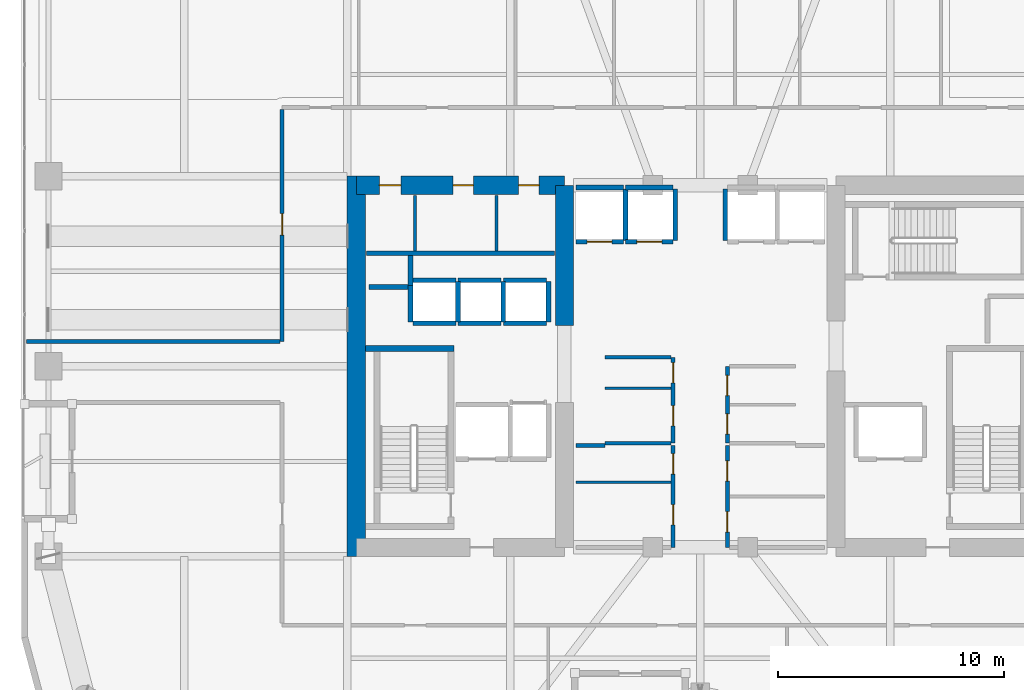
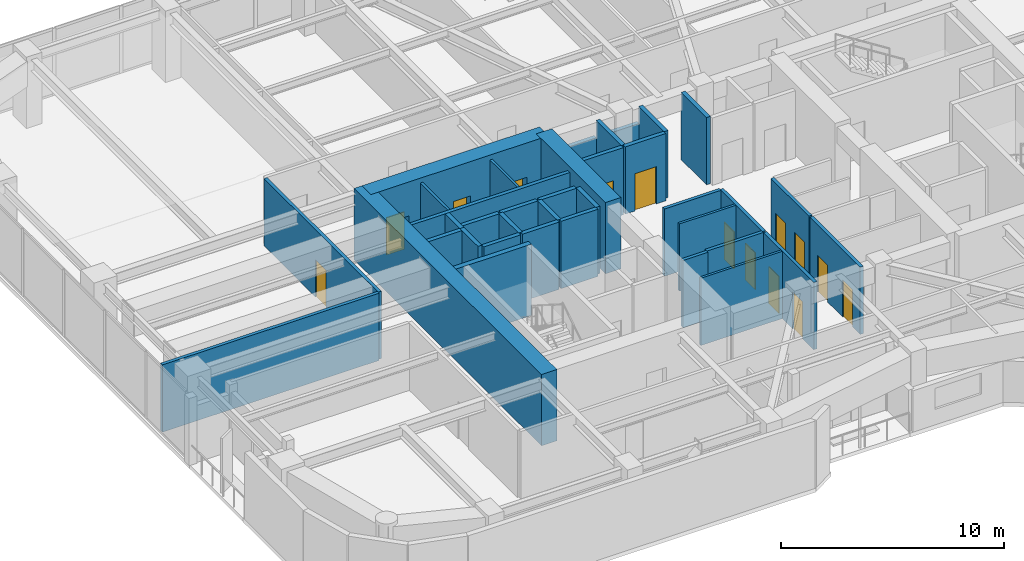
# One storey, part 25 of 30: 37 walls, 14 doors, 14 openings.
"""IFC4 building model written with IfcOpenShell, lengths in metres."""

from ifc_helpers import new_model, si_unit, direction, frame, frame_2d, origin, place, context, subcontext, project, spatial, rectangle, extrude, material, layer, layer_set, type_object, element, fill, save


model = new_model("IFC4")

# Units and contexts
model_context = context("Model", 3, precision=1e-05, world=origin(), true_north=direction((0.0, 1.0)))
body_context = subcontext(model_context, "Body", "Model", "MODEL_VIEW")
ifc_project = project(units=[si_unit("LENGTHUNIT", "METRE"), si_unit("AREAUNIT", "SQUARE_METRE"), si_unit("VOLUMEUNIT", "CUBIC_METRE"), si_unit("PLANEANGLEUNIT", "RADIAN"), si_unit("MASSUNIT", "GRAM", prefix="KILO")], contexts=[model_context])

# Site, building, storey
site_placement = place(None, origin())
site = spatial("IfcSite", under=ifc_project, at=site_placement, CompositionType="ELEMENT")
building_placement = place(site_placement, origin())
building = spatial("IfcBuilding", under=site, at=building_placement, Name="Kiyonajd Concourse Tower", CompositionType="ELEMENT")
storey_placement = place(building_placement, frame((0.0, 0.0, 177.89990234375)))
storey = spatial("IfcBuildingStorey", under=building, at=storey_placement, Name="L45", CompositionType="ELEMENT", Elevation=177.89990234375)

# Walls
ifc_material_1 = material(Name="Concrete C70/85", Category="concrete")
ifc_layer_1 = layer(ifc_material_1, 0.800048828125)
ifc_layer_set_1 = layer_set([ifc_layer_1], Name="Concrete C70/85")
wall_type_1 = type_object("IfcWallType", Name="WL-CORE-800", PredefinedType="SHEAR", material=ifc_layer_set_1)
wall_1_placement = place(storey_placement, frame((32.800048828125, 27.60009765625, 0.0), z_axis=(0.0, 0.0, 1.0), x_axis=(0.0, 1.0, 0.0)))
element("IfcWall", 1, at=wall_1_placement, inside=storey, type_object=wall_type_1, Name="L45 West Core Outer Shear Wall", PredefinedType="SHEAR", context=body_context, shape_type="SweptSolid", body=[
    extrude(rectangle(XDim=16.7998046875, YDim=0.800048828125, at=frame_2d((8.39990234375, 0.0))), origin(), (0.0, 0.0, 1.0), 3.900146484375),
])
wall_2_placement = place(storey_placement, frame((42.0, 37.800048828125, 0.0), z_axis=(0.0, 0.0, 1.0), x_axis=(0.0, 1.0, 0.0)))
element("IfcWall", 2, at=wall_2_placement, inside=storey, type_object=wall_type_1, Name="L45 West Core Inner North Shear Wall", PredefinedType="SHEAR", context=body_context, shape_type="SweptSolid", body=[
    extrude(rectangle(XDim=6.199951171875, YDim=0.800048828125, at=frame_2d((3.10009765625, 0.0))), origin(), (0.0, 0.0, 1.0), 3.900146484375),
])

# Wall, openings, doors
wall_3_placement = place(storey_placement, frame((32.800048828125, 44.0, 0.0), z_axis=(0.0, 0.0, 1.0), x_axis=(1.0, 0.0, 0.0)))
wall_3 = element("IfcWall", 3, at=wall_3_placement, inside=storey, type_object=wall_type_1, Name="L45 West Core North Shear Wall", PredefinedType="SHEAR", context=body_context, shape_type="SweptSolid", body=[
    extrude(rectangle(XDim=9.199951171875, YDim=0.800048828125, at=frame_2d((4.60009765625, 0.0))), origin(), (0.0, 0.0, 1.0), 3.900146484375),
])
opening_1_placement = place(wall_3_placement, frame((1.02490234375, 0.0, 0.0)))
opening_1 = element("IfcOpeningElement", 4, at=opening_1_placement, cuts=wall_3, Name="Opening DI1", PredefinedType="OPENING", context=body_context, shape_type="SweptSolid", body=[
    extrude(rectangle(XDim=0.949951171875, YDim=2.0400390625, at=frame_2d((0.47509765625, 1.02001953125))), frame((0.0, 0.409912109375, 0.0), z_axis=(0.0, -1.0, 0.0), x_axis=(1.0, 0.0, 0.0)), (0.0, 0.0, 1.0), 0.820068359375),
])
opening_2_placement = place(wall_3_placement, frame((4.27490234375, 0.0, 0.0)))
opening_2 = element("IfcOpeningElement", 5, at=opening_2_placement, cuts=wall_3, Name="Opening DI2", PredefinedType="OPENING", context=body_context, shape_type="SweptSolid", body=[
    extrude(rectangle(XDim=0.89990234375, YDim=2.02001953125, at=frame_2d((0.449951171875, 1.010009765625))), frame((0.0, 0.409912109375, 0.0), z_axis=(0.0, -1.0, 0.0), x_axis=(1.0, 0.0, 0.0)), (0.0, 0.0, 1.0), 0.820068359375),
])
opening_3_placement = place(wall_3_placement, frame((7.175048828125, 0.0, 0.0)))
opening_3 = element("IfcOpeningElement", 6, at=opening_3_placement, cuts=wall_3, Name="Opening DI2", PredefinedType="OPENING", context=body_context, shape_type="SweptSolid", body=[
    extrude(rectangle(XDim=0.89990234375, YDim=2.02001953125, at=frame_2d((0.449951171875, 1.010009765625))), frame((0.0, 0.409912109375, 0.0), z_axis=(0.0, -1.0, 0.0), x_axis=(1.0, 0.0, 0.0)), (0.0, 0.0, 1.0), 0.820068359375),
])
ifc_material_2 = material(Name="Natural Oak Acoustic Timber Veneer", Category="wood")
door_type_1 = type_object("IfcDoorType", Name="DR-INT-900", OperationType="NOTDEFINED", PredefinedType="DOOR", material=ifc_material_2)
door_1_placement = place(opening_2_placement, origin())
door_1 = element("IfcDoor", 7, at=door_1_placement, inside=storey, type_object=door_type_1, Name="L45 Male Restroom Door", OperationType="SINGLE_SWING_RIGHT", OverallHeight=2.02001953125, OverallWidth=0.89990234375, PredefinedType="DOOR", context=body_context, shape_type="SweptSolid", body=[
    extrude(rectangle(XDim=0.89990234375, YDim=2.02001953125, at=frame_2d((0.449951171875, 1.010009765625))), frame((0.0, 0.02490234375, 0.0), z_axis=(0.0, -1.0, 0.0), x_axis=(1.0, 0.0, 0.0)), (0.0, 0.0, 1.0), 0.050048828125),
])
fill(opening_2, door_1)
door_2_placement = place(opening_3_placement, origin())
door_2 = element("IfcDoor", 8, at=door_2_placement, inside=storey, type_object=door_type_1, Name="L45 Female Restroom Door", OperationType="SINGLE_SWING_LEFT", OverallHeight=2.02001953125, OverallWidth=0.89990234375, PredefinedType="DOOR", context=body_context, shape_type="SweptSolid", body=[
    extrude(rectangle(XDim=0.89990234375, YDim=2.02001953125, at=frame_2d((0.449951171875, 1.010009765625))), frame((0.0, 0.02490234375, 0.0), z_axis=(0.0, -1.0, 0.0), x_axis=(1.0, 0.0, 0.0)), (0.0, 0.0, 1.0), 0.050048828125),
])
fill(opening_3, door_2)
door_type_2 = type_object("IfcDoorType", Name="DR-INT-950", OperationType="NOTDEFINED", PredefinedType="DOOR", material=ifc_material_2)
door_3_placement = place(opening_1_placement, origin())
door_3 = element("IfcDoor", 9, at=door_3_placement, inside=storey, type_object=door_type_2, Name="L45 Single User Accessible WC Door", OperationType="SINGLE_SWING_LEFT", OverallHeight=2.0400390625, OverallWidth=0.949951171875, PredefinedType="DOOR", context=body_context, shape_type="SweptSolid", body=[
    extrude(rectangle(XDim=0.949951171875, YDim=2.0400390625, at=frame_2d((0.47509765625, 1.02001953125))), frame((0.0, 0.02490234375, 0.0), z_axis=(0.0, -1.0, 0.0), x_axis=(1.0, 0.0, 0.0)), (0.0, 0.0, 1.0), 0.050048828125),
])
fill(opening_1, door_3)

# Walls
ifc_material_3 = material(Name="Gypsum Board on Cold-Formed Steel Stud", Category="steel")
ifc_layer_2 = layer(ifc_material_3, 0.125)
ifc_layer_set_2 = layer_set([ifc_layer_2], Name="Gypsum Board on Cold-Formed Steel Stud")
wall_type_2 = type_object("IfcWallType", Name="WL-PART-125", PredefinedType="PARTITIONING", material=ifc_layer_set_2)
for number, where, z_axis, x_axis, name in (
    (10, (35.39990234375, 41.094970703125, 0.0), (0.0, 0.0, 1.0), (0.0, 1.0, 0.0), "L45 Interior Partition Wall"),
    (11, (39.0, 41.094970703125, 0.0), (0.0, 0.0, 1.0), (0.0, 1.0, 0.0), "L45 Interior Partition Wall"),
):
    element("IfcWall", number, at=place(storey_placement, frame(where, z_axis=z_axis, x_axis=x_axis)), inside=storey, type_object=wall_type_2, Name=name, PredefinedType="PARTITIONING", context=body_context, shape_type="SweptSolid", body=[
        extrude(rectangle(XDim=2.455078125, YDim=0.125, at=frame_2d((1.2275390625, 0.0))), origin(), (0.0, 0.0, 1.0), 3.68017578125),
    ])
wall_4_placement = place(storey_placement, frame((43.800048828125, 35.031982421875, 0.0), z_axis=(0.0, 0.0, 1.0), x_axis=(1.0, 0.0, 0.0)))
element("IfcWall", 12, at=wall_4_placement, inside=storey, type_object=wall_type_2, Name="L45 Interior Partition Wall", PredefinedType="PARTITIONING", context=body_context, shape_type="SweptSolid", body=[
    extrude(rectangle(XDim=2.912841796875, YDim=0.125, at=frame_2d((1.45654296875, 0.0))), origin(), (0.0, 0.0, 1.0), 3.68017578125),
])
wall_5_placement = place(storey_placement, frame((42.5, 30.8798828125, 0.0), z_axis=(0.0, 0.0, 1.0), x_axis=(1.0, 0.0, 0.0)))
element("IfcWall", 13, at=wall_5_placement, inside=storey, type_object=wall_type_2, Name="L45 Interior Partition Wall", PredefinedType="PARTITIONING", context=body_context, shape_type="SweptSolid", body=[
    extrude(rectangle(XDim=4.212890625, YDim=0.125, at=frame_2d((2.1064453125, 0.0))), origin(), (0.0, 0.0, 1.0), 3.68017578125),
])
ifc_layer_3 = layer(ifc_material_3, 0.18994140625)
ifc_layer_set_3 = layer_set([ifc_layer_3], Name="Gypsum Board on Cold-Formed Steel Stud")
wall_type_3 = type_object("IfcWallType", Name="WL-PLMB-190", PredefinedType="PLUMBINGWALL", material=ifc_layer_set_3)
wall_6_placement = place(storey_placement, frame((33.25, 41.0, 0.0), z_axis=(0.0, 0.0, 1.0), x_axis=(1.0, 0.0, 0.0)))
element("IfcWall", 14, at=wall_6_placement, inside=storey, type_object=wall_type_3, Name="L45 Interior Partition Wall", PredefinedType="PLUMBINGWALL", context=body_context, shape_type="SweptSolid", body=[
    extrude(rectangle(XDim=8.300048828125, YDim=0.18994140625, at=frame_2d((4.14990234375, 0.0))), origin(), (0.0, 0.0, 1.0), 3.68017578125),
])
ifc_layer_4 = layer(ifc_material_3, 0.2099609375)
ifc_layer_set_4 = layer_set([ifc_layer_4], Name="Gypsum Board on Cold-Formed Steel Stud")
wall_type_4 = type_object("IfcWallType", Name="WL-SHAFT-210", PredefinedType="PARTITIONING", material=ifc_layer_set_4)
wall_7_placement = place(storey_placement, frame((33.360107421875, 39.5, 0.0), z_axis=(0.0, 0.0, 1.0), x_axis=(1.0, 0.0, 0.0)))
element("IfcWall", 15, at=wall_7_placement, inside=storey, type_object=wall_type_4, Name="L45 Shaft Enclosure Wall", PredefinedType="PARTITIONING", context=body_context, shape_type="SweptSolid", body=[
    extrude(rectangle(XDim=1.85986328125, YDim=0.2099609375, at=frame_2d((0.929931640625, 0.0))), origin(), (0.0, 0.0, 1.0), 3.68017578125),
])
wall_8_placement = place(storey_placement, frame((35.199951171875, 39.580078125, 0.0), z_axis=(0.0, 0.0, 1.0), x_axis=(0.0, 1.0, 0.0)))
element("IfcWall", 16, at=wall_8_placement, inside=storey, type_object=wall_type_4, Name="L45 Shaft Enclosure Wall", PredefinedType="PARTITIONING", context=body_context, shape_type="SweptSolid", body=[
    extrude(rectangle(XDim=1.31982421875, YDim=0.2099609375, at=frame_2d((0.659912109375, 0.0))), origin(), (0.0, 0.0, 1.0), 3.68017578125),
])

# Wall, opening, door
wall_9_placement = place(storey_placement, frame((42.5, 41.5, 0.0), z_axis=(0.0, 0.0, 1.0), x_axis=(1.0, 0.0, 0.0)))
wall_9 = element("IfcWall", 17, at=wall_9_placement, inside=storey, type_object=wall_type_4, Name="L45 Shaft Enclosure Wall", PredefinedType="PARTITIONING", context=body_context, shape_type="SweptSolid", body=[
    extrude(rectangle(XDim=2.10009765625, YDim=0.2099609375, at=frame_2d((1.050048828125, 0.0))), origin(), (0.0, 0.0, 1.0), 3.68017578125),
])
opening_4_placement = place(wall_9_placement, frame((0.5, 0.0, 0.0)))
opening_4 = element("IfcOpeningElement", 18, at=opening_4_placement, cuts=wall_9, Name="Opening LD1", PredefinedType="OPENING", context=body_context, shape_type="SweptSolid", body=[
    extrude(rectangle(XDim=1.10009765625, YDim=2.0400390625, at=frame_2d((0.550048828125, 1.02001953125))), frame((0.0, 0.114990234375, 0.0), z_axis=(0.0, -1.0, 0.0), x_axis=(1.0, 0.0, 0.0)), (0.0, 0.0, 1.0), 0.22998046875),
])
ifc_material_4 = material(Name="Brushed Stainless Steel Cab Assembly", Category="steel")
door_type_3 = type_object("IfcDoorType", Name="DR-LD-1100", OperationType="DOUBLE_DOOR_SLIDING", PredefinedType="DOOR", material=ifc_material_4)
door_4_placement = place(opening_4_placement, origin())
door_4 = element("IfcDoor", 19, at=door_4_placement, inside=storey, type_object=door_type_3, Name="L45 Lift PL-M1 Sliding Landing Door", OperationType="DOUBLE_DOOR_SLIDING", OverallHeight=2.0400390625, OverallWidth=1.10009765625, PredefinedType="DOOR", context=body_context, shape_type="SweptSolid", body=[
    extrude(rectangle(XDim=1.10009765625, YDim=2.0400390625, at=frame_2d((0.550048828125, 1.02001953125))), frame((0.0, 0.02490234375, 0.0), z_axis=(0.0, -1.0, 0.0), x_axis=(1.0, 0.0, 0.0)), (0.0, 0.0, 1.0), 0.050048828125),
])
fill(opening_4, door_4)

# Walls
wall_10_placement = place(storey_placement, frame((42.5, 43.89990234375, 0.0), z_axis=(0.0, 0.0, 1.0), x_axis=(1.0, 0.0, 0.0)))
element("IfcWall", 20, at=wall_10_placement, inside=storey, type_object=wall_type_4, Name="L45 Shaft Enclosure Wall", PredefinedType="PARTITIONING", context=body_context, shape_type="SweptSolid", body=[
    extrude(rectangle(XDim=2.10009765625, YDim=0.2099609375, at=frame_2d((1.050048828125, 0.0))), origin(), (0.0, 0.0, 1.0), 2.76513671875),
])
wall_11_placement = place(storey_placement, frame((44.699951171875, 41.56005859375, 0.0), z_axis=(0.0, 0.0, 1.0), x_axis=(0.0, 1.0, 0.0)))
element("IfcWall", 21, at=wall_11_placement, inside=storey, type_object=wall_type_4, Name="L45 Shaft Enclosure Wall", PredefinedType="PARTITIONING", context=body_context, shape_type="SweptSolid", body=[
    extrude(rectangle(XDim=2.280029296875, YDim=0.2099609375, at=frame_2d((1.14013671875, 0.0))), origin(), (0.0, 0.0, 1.0), 3.68017578125),
])

# Wall, opening, door
wall_12_placement = place(storey_placement, frame((44.699951171875, 41.5, 0.0), z_axis=(0.0, 0.0, 1.0), x_axis=(1.0, 0.0, 0.0)))
wall_12 = element("IfcWall", 22, at=wall_12_placement, inside=storey, type_object=wall_type_4, Name="L45 Shaft Enclosure Wall", PredefinedType="PARTITIONING", context=body_context, shape_type="SweptSolid", body=[
    extrude(rectangle(XDim=2.10009765625, YDim=0.2099609375, at=frame_2d((1.050048828125, 0.0))), origin(), (0.0, 0.0, 1.0), 3.68017578125),
])
opening_5_placement = place(wall_12_placement, frame((0.5, 0.0, 0.0)))
opening_5 = element("IfcOpeningElement", 23, at=opening_5_placement, cuts=wall_12, Name="Opening LD1", PredefinedType="OPENING", context=body_context, shape_type="SweptSolid", body=[
    extrude(rectangle(XDim=1.10009765625, YDim=2.0400390625, at=frame_2d((0.550048828125, 1.02001953125))), frame((0.0, 0.114990234375, 0.0), z_axis=(0.0, -1.0, 0.0), x_axis=(1.0, 0.0, 0.0)), (0.0, 0.0, 1.0), 0.22998046875),
])
door_5_placement = place(opening_5_placement, origin())
door_5 = element("IfcDoor", 24, at=door_5_placement, inside=storey, type_object=door_type_3, Name="L45 Lift PL-M2 Sliding Landing Door", OperationType="DOUBLE_DOOR_SLIDING", OverallHeight=2.0400390625, OverallWidth=1.10009765625, PredefinedType="DOOR", context=body_context, shape_type="SweptSolid", body=[
    extrude(rectangle(XDim=1.10009765625, YDim=2.0400390625, at=frame_2d((0.550048828125, 1.02001953125))), frame((0.0, 0.02490234375, 0.0), z_axis=(0.0, -1.0, 0.0), x_axis=(1.0, 0.0, 0.0)), (0.0, 0.0, 1.0), 0.050048828125),
])
fill(opening_5, door_5)

# Walls
wall_13_placement = place(storey_placement, frame((44.699951171875, 43.89990234375, 0.0), z_axis=(0.0, 0.0, 1.0), x_axis=(1.0, 0.0, 0.0)))
element("IfcWall", 25, at=wall_13_placement, inside=storey, type_object=wall_type_4, Name="L45 Shaft Enclosure Wall", PredefinedType="PARTITIONING", context=body_context, shape_type="SweptSolid", body=[
    extrude(rectangle(XDim=2.10009765625, YDim=0.2099609375, at=frame_2d((1.050048828125, 0.0))), origin(), (0.0, 0.0, 1.0), 2.76513671875),
])
for number, where, z_axis, x_axis, name in (
    (26, (46.89990234375, 41.56005859375, 0.0), (0.0, 0.0, 1.0), (0.0, 1.0, 0.0), "L45 Shaft Enclosure Wall"),
    (27, (49.10009765625, 41.56005859375, 0.0), (0.0, 0.0, 1.0), (0.0, 1.0, 0.0), "L45 Shaft Enclosure Wall"),
):
    element("IfcWall", number, at=place(storey_placement, frame(where, z_axis=z_axis, x_axis=x_axis)), inside=storey, type_object=wall_type_4, Name=name, PredefinedType="PARTITIONING", context=body_context, shape_type="SweptSolid", body=[
        extrude(rectangle(XDim=2.280029296875, YDim=0.2099609375, at=frame_2d((1.14013671875, 0.0))), origin(), (0.0, 0.0, 1.0), 3.68017578125),
    ])
for number, where, z_axis, x_axis, name in (
    (28, (35.300048828125, 37.89990234375, 0.0), (0.0, 0.0, 1.0), (1.0, 0.0, 0.0), "L45 Shaft Enclosure Wall"),
    (29, (35.300048828125, 39.800048828125, 0.0), (0.0, 0.0, 1.0), (1.0, 0.0, 0.0), "L45 Shaft Enclosure Wall"),
):
    element("IfcWall", number, at=place(storey_placement, frame(where, z_axis=z_axis, x_axis=x_axis)), inside=storey, type_object=wall_type_4, Name=name, PredefinedType="PARTITIONING", context=body_context, shape_type="SweptSolid", body=[
        extrude(rectangle(XDim=1.89990234375, YDim=0.2099609375, at=frame_2d((0.949951171875, 0.0))), origin(), (0.0, 0.0, 1.0), 3.68017578125),
    ])
wall_14_placement = place(storey_placement, frame((35.199951171875, 37.9599609375, 0.0), z_axis=(0.0, 0.0, 1.0), x_axis=(0.0, 1.0, 0.0)))
element("IfcWall", 30, at=wall_14_placement, inside=storey, type_object=wall_type_4, Name="L45 Shaft Enclosure Wall", PredefinedType="PARTITIONING", context=body_context, shape_type="SweptSolid", body=[
    extrude(rectangle(XDim=1.6201171875, YDim=0.2099609375, at=frame_2d((0.81005859375, 0.0))), origin(), (0.0, 0.0, 1.0), 3.68017578125),
])
wall_15_placement = place(storey_placement, frame((37.300048828125, 37.9599609375, 0.0), z_axis=(0.0, 0.0, 1.0), x_axis=(0.0, 1.0, 0.0)))
element("IfcWall", 31, at=wall_15_placement, inside=storey, type_object=wall_type_4, Name="L45 Shaft Enclosure Wall", PredefinedType="PARTITIONING", context=body_context, shape_type="SweptSolid", body=[
    extrude(rectangle(XDim=1.780029296875, YDim=0.2099609375, at=frame_2d((0.89013671875, 0.0))), origin(), (0.0, 0.0, 1.0), 3.68017578125),
])
for number, where, z_axis, x_axis, name in (
    (32, (37.300048828125, 37.89990234375, 0.0), (0.0, 0.0, 1.0), (1.0, 0.0, 0.0), "L45 Shaft Enclosure Wall"),
    (33, (37.300048828125, 39.800048828125, 0.0), (0.0, 0.0, 1.0), (1.0, 0.0, 0.0), "L45 Shaft Enclosure Wall"),
):
    element("IfcWall", number, at=place(storey_placement, frame(where, z_axis=z_axis, x_axis=x_axis)), inside=storey, type_object=wall_type_4, Name=name, PredefinedType="PARTITIONING", context=body_context, shape_type="SweptSolid", body=[
        extrude(rectangle(XDim=1.89990234375, YDim=0.2099609375, at=frame_2d((0.949951171875, 0.0))), origin(), (0.0, 0.0, 1.0), 3.68017578125),
    ])
wall_16_placement = place(storey_placement, frame((39.300048828125, 37.9599609375, 0.0), z_axis=(0.0, 0.0, 1.0), x_axis=(0.0, 1.0, 0.0)))
element("IfcWall", 34, at=wall_16_placement, inside=storey, type_object=wall_type_4, Name="L45 Shaft Enclosure Wall", PredefinedType="PARTITIONING", context=body_context, shape_type="SweptSolid", body=[
    extrude(rectangle(XDim=1.780029296875, YDim=0.2099609375, at=frame_2d((0.89013671875, 0.0))), origin(), (0.0, 0.0, 1.0), 3.68017578125),
])
for number, where, z_axis, x_axis, name in (
    (35, (39.300048828125, 37.89990234375, 0.0), (0.0, 0.0, 1.0), (1.0, 0.0, 0.0), "L45 Shaft Enclosure Wall"),
    (36, (39.300048828125, 39.800048828125, 0.0), (0.0, 0.0, 1.0), (1.0, 0.0, 0.0), "L45 Shaft Enclosure Wall"),
):
    element("IfcWall", number, at=place(storey_placement, frame(where, z_axis=z_axis, x_axis=x_axis)), inside=storey, type_object=wall_type_4, Name=name, PredefinedType="PARTITIONING", context=body_context, shape_type="SweptSolid", body=[
        extrude(rectangle(XDim=1.89990234375, YDim=0.2099609375, at=frame_2d((0.949951171875, 0.0))), origin(), (0.0, 0.0, 1.0), 3.68017578125),
    ])
wall_17_placement = place(storey_placement, frame((41.300048828125, 37.9599609375, 0.0), z_axis=(0.0, 0.0, 1.0), x_axis=(0.0, 1.0, 0.0)))
element("IfcWall", 37, at=wall_17_placement, inside=storey, type_object=wall_type_4, Name="L45 Shaft Enclosure Wall", PredefinedType="PARTITIONING", context=body_context, shape_type="SweptSolid", body=[
    extrude(rectangle(XDim=1.780029296875, YDim=0.2099609375, at=frame_2d((0.89013671875, 0.0))), origin(), (0.0, 0.0, 1.0), 3.68017578125),
])

# Wall, openings, doors
ifc_layer_5 = layer(ifc_material_3, 0.169921875)
ifc_layer_set_5 = layer_set([ifc_layer_5], Name="Gypsum Board on Cold-Formed Steel Stud")
wall_type_5 = type_object("IfcWallType", Name="WL-SMK-170", PredefinedType="PARTITIONING", material=ifc_layer_set_5)
wall_18_placement = place(storey_placement, frame((46.800048828125, 32.60009765625, 0.0), z_axis=(0.0, 0.0, 1.0), x_axis=(0.0, 1.0, 0.0)))
wall_18 = element("IfcWall", 38, at=wall_18_placement, inside=storey, type_object=wall_type_5, Name="L45 Interior Partition Wall", PredefinedType="PARTITIONING", context=body_context, shape_type="SweptSolid", body=[
    extrude(rectangle(XDim=3.7998046875, YDim=0.169921875, at=frame_2d((1.89990234375, 0.0))), origin(), (0.0, 0.0, 1.0), 3.68017578125),
])
opening_6_placement = place(wall_18_placement, frame((0.76611328125, 0.0, 0.0)))
opening_6 = element("IfcOpeningElement", 39, at=opening_6_placement, cuts=wall_18, Name="Opening DF4", PredefinedType="OPENING", context=body_context, shape_type="SweptSolid", body=[
    extrude(rectangle(XDim=0.89990234375, YDim=2.02001953125, at=frame_2d((0.449951171875, 1.010009765625))), frame((0.0, 0.094970703125, 0.0), z_axis=(0.0, -1.0, 0.0), x_axis=(1.0, 0.0, 0.0)), (0.0, 0.0, 1.0), 0.18994140625),
])
opening_7_placement = place(wall_18_placement, frame((2.666015625, 0.0, 0.0)))
opening_7 = element("IfcOpeningElement", 40, at=opening_7_placement, cuts=wall_18, Name="Opening DF4", PredefinedType="OPENING", context=body_context, shape_type="SweptSolid", body=[
    extrude(rectangle(XDim=0.89990234375, YDim=2.02001953125, at=frame_2d((0.449951171875, 1.010009765625))), frame((0.0, 0.094970703125, 0.0), z_axis=(0.0, -1.0, 0.0), x_axis=(1.0, 0.0, 0.0)), (0.0, 0.0, 1.0), 0.18994140625),
])
door_type_4 = type_object("IfcDoorType", Name="DR-FD60-900", OperationType="NOTDEFINED", PredefinedType="DOOR", material=ifc_material_4)
door_6_placement = place(opening_6_placement, origin())
door_6 = element("IfcDoor", 41, at=door_6_placement, inside=storey, type_object=door_type_4, Name="L45 Interior Door", OperationType="SINGLE_SWING_RIGHT", OverallHeight=2.02001953125, OverallWidth=0.89990234375, PredefinedType="DOOR", context=body_context, shape_type="SweptSolid", body=[
    extrude(rectangle(XDim=0.89990234375, YDim=2.02001953125, at=frame_2d((0.449951171875, 1.010009765625))), frame((0.0, 0.02490234375, 0.0), z_axis=(0.0, -1.0, 0.0), x_axis=(1.0, 0.0, 0.0)), (0.0, 0.0, 1.0), 0.050048828125),
])
fill(opening_6, door_6)
door_7_placement = place(opening_7_placement, origin())
door_7 = element("IfcDoor", 42, at=door_7_placement, inside=storey, type_object=door_type_4, Name="L45 Interior Door", OperationType="SINGLE_SWING_LEFT", OverallHeight=2.02001953125, OverallWidth=0.89990234375, PredefinedType="DOOR", context=body_context, shape_type="SweptSolid", body=[
    extrude(rectangle(XDim=0.89990234375, YDim=2.02001953125, at=frame_2d((0.449951171875, 1.010009765625))), frame((0.0, 0.02490234375, 0.0), z_axis=(0.0, -1.0, 0.0), x_axis=(1.0, 0.0, 0.0)), (0.0, 0.0, 1.0), 0.050048828125),
])
fill(opening_7, door_7)

# Walls
for number, where, z_axis, x_axis, name in (
    (43, (43.800048828125, 32.60009765625, 0.0), (0.0, 0.0, 1.0), (1.0, 0.0, 0.0), "L45 Interior Partition Wall"),
    (44, (43.800048828125, 36.39990234375, 0.0), (0.0, 0.0, 1.0), (1.0, 0.0, 0.0), "L45 Interior Partition Wall"),
):
    element("IfcWall", number, at=place(storey_placement, frame(where, z_axis=z_axis, x_axis=x_axis)), inside=storey, type_object=wall_type_5, Name=name, PredefinedType="PARTITIONING", context=body_context, shape_type="SweptSolid", body=[
        extrude(rectangle(XDim=2.912841796875, YDim=0.169921875, at=frame_2d((1.45654296875, 0.0))), origin(), (0.0, 0.0, 1.0), 3.68017578125),
    ])

# Wall, openings, doors
wall_19_placement = place(storey_placement, frame((49.199951171875, 32.60009765625, 0.0), z_axis=(0.0, 0.0, 1.0), x_axis=(0.0, 1.0, 0.0)))
wall_19 = element("IfcWall", 45, at=wall_19_placement, inside=storey, type_object=wall_type_5, Name="L45 Interior Partition Wall", PredefinedType="PARTITIONING", context=body_context, shape_type="SweptSolid", body=[
    extrude(rectangle(XDim=3.39990234375, YDim=0.169921875, at=frame_2d((1.699951171875, 0.0))), origin(), (0.0, 0.0, 1.0), 3.68017578125),
])
opening_8_placement = place(wall_19_placement, frame((0.39990234375, 0.0, 0.0)))
opening_8 = element("IfcOpeningElement", 46, at=opening_8_placement, cuts=wall_19, Name="Opening DI2", PredefinedType="OPENING", context=body_context, shape_type="SweptSolid", body=[
    extrude(rectangle(XDim=0.89990234375, YDim=2.02001953125, at=frame_2d((0.449951171875, 1.010009765625))), frame((0.0, 0.094970703125, 0.0), z_axis=(0.0, -1.0, 0.0), x_axis=(1.0, 0.0, 0.0)), (0.0, 0.0, 1.0), 0.18994140625),
])
opening_9_placement = place(wall_19_placement, frame((2.10009765625, 0.0, 0.0)))
opening_9 = element("IfcOpeningElement", 47, at=opening_9_placement, cuts=wall_19, Name="Opening DI2", PredefinedType="OPENING", context=body_context, shape_type="SweptSolid", body=[
    extrude(rectangle(XDim=0.89990234375, YDim=2.02001953125, at=frame_2d((0.449951171875, 1.010009765625))), frame((0.0, 0.094970703125, 0.0), z_axis=(0.0, -1.0, 0.0), x_axis=(1.0, 0.0, 0.0)), (0.0, 0.0, 1.0), 0.18994140625),
])
door_8_placement = place(opening_8_placement, origin())
door_8 = element("IfcDoor", 48, at=door_8_placement, inside=storey, type_object=door_type_1, Name="L45 Interior Door", OperationType="SINGLE_SWING_RIGHT", OverallHeight=2.02001953125, OverallWidth=0.89990234375, PredefinedType="DOOR", context=body_context, shape_type="SweptSolid", body=[
    extrude(rectangle(XDim=0.89990234375, YDim=2.02001953125, at=frame_2d((0.449951171875, 1.010009765625))), frame((0.0, 0.02490234375, 0.0), z_axis=(0.0, -1.0, 0.0), x_axis=(1.0, 0.0, 0.0)), (0.0, 0.0, 1.0), 0.050048828125),
])
fill(opening_8, door_8)
door_9_placement = place(opening_9_placement, origin())
door_9 = element("IfcDoor", 49, at=door_9_placement, inside=storey, type_object=door_type_1, Name="L45 Interior Door", OperationType="SINGLE_SWING_LEFT", OverallHeight=2.02001953125, OverallWidth=0.89990234375, PredefinedType="DOOR", context=body_context, shape_type="SweptSolid", body=[
    extrude(rectangle(XDim=0.89990234375, YDim=2.02001953125, at=frame_2d((0.449951171875, 1.010009765625))), frame((0.0, 0.02490234375, 0.0), z_axis=(0.0, -1.0, 0.0), x_axis=(1.0, 0.0, 0.0)), (0.0, 0.0, 1.0), 0.050048828125),
])
fill(opening_9, door_9)

wall_20_placement = place(storey_placement, frame((46.800048828125, 28.0, 0.0), z_axis=(0.0, 0.0, 1.0), x_axis=(0.0, 1.0, 0.0)))
wall_20 = element("IfcWall", 50, at=wall_20_placement, inside=storey, type_object=wall_type_5, Name="L45 Interior Partition Wall", PredefinedType="PARTITIONING", context=body_context, shape_type="SweptSolid", body=[
    extrude(rectangle(XDim=4.5, YDim=0.169921875, at=frame_2d((2.25, 0.0))), origin(), (0.0, 0.0, 1.0), 3.68017578125),
])
opening_10_placement = place(wall_20_placement, frame((0.989990234375, 0.0, 0.0)))
opening_10 = element("IfcOpeningElement", 51, at=opening_10_placement, cuts=wall_20, Name="Opening DF4", PredefinedType="OPENING", context=body_context, shape_type="SweptSolid", body=[
    extrude(rectangle(XDim=0.89990234375, YDim=2.02001953125, at=frame_2d((0.449951171875, 1.010009765625))), frame((0.0, 0.094970703125, 0.0), z_axis=(0.0, -1.0, 0.0), x_axis=(1.0, 0.0, 0.0)), (0.0, 0.0, 1.0), 0.18994140625),
])
opening_11_placement = place(wall_20_placement, frame((3.239990234375, 0.0, 0.0)))
opening_11 = element("IfcOpeningElement", 52, at=opening_11_placement, cuts=wall_20, Name="Opening DF4", PredefinedType="OPENING", context=body_context, shape_type="SweptSolid", body=[
    extrude(rectangle(XDim=0.89990234375, YDim=2.02001953125, at=frame_2d((0.449951171875, 1.010009765625))), frame((0.0, 0.094970703125, 0.0), z_axis=(0.0, -1.0, 0.0), x_axis=(1.0, 0.0, 0.0)), (0.0, 0.0, 1.0), 0.18994140625),
])
door_10_placement = place(opening_10_placement, origin())
door_10 = element("IfcDoor", 53, at=door_10_placement, inside=storey, type_object=door_type_4, Name="L45 Interior Door", OperationType="SINGLE_SWING_RIGHT", OverallHeight=2.02001953125, OverallWidth=0.89990234375, PredefinedType="DOOR", context=body_context, shape_type="SweptSolid", body=[
    extrude(rectangle(XDim=0.89990234375, YDim=2.02001953125, at=frame_2d((0.449951171875, 1.010009765625))), frame((0.0, 0.02490234375, 0.0), z_axis=(0.0, -1.0, 0.0), x_axis=(1.0, 0.0, 0.0)), (0.0, 0.0, 1.0), 0.050048828125),
])
fill(opening_10, door_10)
door_11_placement = place(opening_11_placement, origin())
door_11 = element("IfcDoor", 54, at=door_11_placement, inside=storey, type_object=door_type_4, Name="L45 Interior Door", OperationType="SINGLE_SWING_LEFT", OverallHeight=2.02001953125, OverallWidth=0.89990234375, PredefinedType="DOOR", context=body_context, shape_type="SweptSolid", body=[
    extrude(rectangle(XDim=0.89990234375, YDim=2.02001953125, at=frame_2d((0.449951171875, 1.010009765625))), frame((0.0, 0.02490234375, 0.0), z_axis=(0.0, -1.0, 0.0), x_axis=(1.0, 0.0, 0.0)), (0.0, 0.0, 1.0), 0.050048828125),
])
fill(opening_11, door_11)

# Wall
wall_21_placement = place(storey_placement, frame((42.5, 32.5, 0.0), z_axis=(0.0, 0.0, 1.0), x_axis=(1.0, 0.0, 0.0)))
element("IfcWall", 55, at=wall_21_placement, inside=storey, type_object=wall_type_5, Name="L45 Interior Partition Wall", PredefinedType="PARTITIONING", context=body_context, shape_type="SweptSolid", body=[
    extrude(rectangle(XDim=1.300048828125, YDim=0.169921875, at=frame_2d((0.64990234375, 0.0))), origin(), (0.0, 0.0, 1.0), 3.68017578125),
])

# Wall, openings, doors
wall_22_placement = place(storey_placement, frame((49.199951171875, 28.0, 0.0), z_axis=(0.0, 0.0, 1.0), x_axis=(0.0, 1.0, 0.0)))
wall_22 = element("IfcWall", 56, at=wall_22_placement, inside=storey, type_object=wall_type_5, Name="L45 Interior Partition Wall", PredefinedType="PARTITIONING", context=body_context, shape_type="SweptSolid", body=[
    extrude(rectangle(XDim=4.5, YDim=0.169921875, at=frame_2d((2.25, 0.0))), origin(), (0.0, 0.0, 1.0), 3.68017578125),
])
opening_12_placement = place(wall_22_placement, frame((0.675048828125, 0.0, 0.0)))
opening_12 = element("IfcOpeningElement", 57, at=opening_12_placement, cuts=wall_22, Name="Opening DI2", PredefinedType="OPENING", context=body_context, shape_type="SweptSolid", body=[
    extrude(rectangle(XDim=0.89990234375, YDim=2.02001953125, at=frame_2d((0.449951171875, 1.010009765625))), frame((0.0, 0.094970703125, 0.0), z_axis=(0.0, -1.0, 0.0), x_axis=(1.0, 0.0, 0.0)), (0.0, 0.0, 1.0), 0.18994140625),
])
opening_13_placement = place(wall_22_placement, frame((2.925048828125, 0.0, 0.0)))
opening_13 = element("IfcOpeningElement", 58, at=opening_13_placement, cuts=wall_22, Name="Opening DI2", PredefinedType="OPENING", context=body_context, shape_type="SweptSolid", body=[
    extrude(rectangle(XDim=0.89990234375, YDim=2.02001953125, at=frame_2d((0.449951171875, 1.010009765625))), frame((0.0, 0.094970703125, 0.0), z_axis=(0.0, -1.0, 0.0), x_axis=(1.0, 0.0, 0.0)), (0.0, 0.0, 1.0), 0.18994140625),
])
door_12_placement = place(opening_12_placement, origin())
door_12 = element("IfcDoor", 59, at=door_12_placement, inside=storey, type_object=door_type_1, Name="L45 Interior Door", OperationType="SINGLE_SWING_RIGHT", OverallHeight=2.02001953125, OverallWidth=0.89990234375, PredefinedType="DOOR", context=body_context, shape_type="SweptSolid", body=[
    extrude(rectangle(XDim=0.89990234375, YDim=2.02001953125, at=frame_2d((0.449951171875, 1.010009765625))), frame((0.0, 0.02490234375, 0.0), z_axis=(0.0, -1.0, 0.0), x_axis=(1.0, 0.0, 0.0)), (0.0, 0.0, 1.0), 0.050048828125),
])
fill(opening_12, door_12)
door_13_placement = place(opening_13_placement, origin())
door_13 = element("IfcDoor", 60, at=door_13_placement, inside=storey, type_object=door_type_1, Name="L45 Interior Door", OperationType="SINGLE_SWING_LEFT", OverallHeight=2.02001953125, OverallWidth=0.89990234375, PredefinedType="DOOR", context=body_context, shape_type="SweptSolid", body=[
    extrude(rectangle(XDim=0.89990234375, YDim=2.02001953125, at=frame_2d((0.449951171875, 1.010009765625))), frame((0.0, 0.02490234375, 0.0), z_axis=(0.0, -1.0, 0.0), x_axis=(1.0, 0.0, 0.0)), (0.0, 0.0, 1.0), 0.050048828125),
])
fill(opening_13, door_13)

# Wall, opening, door
wall_23_placement = place(storey_placement, frame((29.52490234375, 37.10009765625, 0.0), z_axis=(0.0, 0.0, 1.0), x_axis=(0.0, 1.0, 0.0)))
wall_23 = element("IfcWall", 61, at=wall_23_placement, inside=storey, type_object=wall_type_5, Name="L45 Interior Partition Wall", PredefinedType="PARTITIONING", context=body_context, shape_type="SweptSolid", body=[
    extrude(rectangle(XDim=10.2529296875, YDim=0.169921875, at=frame_2d((5.12646484375, 0.0))), origin(), (0.0, 0.0, 1.0), 3.68017578125),
])
opening_14_placement = place(wall_23_placement, frame((4.695068359375, 0.0, 0.0)))
opening_14 = element("IfcOpeningElement", 62, at=opening_14_placement, cuts=wall_23, Name="Opening DI1", PredefinedType="OPENING", context=body_context, shape_type="SweptSolid", body=[
    extrude(rectangle(XDim=0.949951171875, YDim=2.0400390625, at=frame_2d((0.47509765625, 1.02001953125))), frame((0.0, 0.094970703125, 0.0), z_axis=(0.0, -1.0, 0.0), x_axis=(1.0, 0.0, 0.0)), (0.0, 0.0, 1.0), 0.18994140625),
])
door_14_placement = place(opening_14_placement, origin())
door_14 = element("IfcDoor", 63, at=door_14_placement, inside=storey, type_object=door_type_2, Name="L45 Interior Door", OperationType="SINGLE_SWING_LEFT", OverallHeight=2.0400390625, OverallWidth=0.949951171875, PredefinedType="DOOR", context=body_context, shape_type="SweptSolid", body=[
    extrude(rectangle(XDim=0.949951171875, YDim=2.0400390625, at=frame_2d((0.47509765625, 1.02001953125))), frame((0.0, 0.02490234375, 0.0), z_axis=(0.0, -1.0, 0.0), x_axis=(1.0, 0.0, 0.0)), (0.0, 0.0, 1.0), 0.050048828125),
])
fill(opening_14, door_14)

# Walls
wall_24_placement = place(storey_placement, frame((18.22509765625, 37.10009765625, 0.0), z_axis=(0.0, 0.0, 1.0), x_axis=(1.0, 0.0, 0.0)))
element("IfcWall", 64, at=wall_24_placement, inside=storey, type_object=wall_type_5, Name="L45 Interior Partition Wall", PredefinedType="PARTITIONING", context=body_context, shape_type="SweptSolid", body=[
    extrude(rectangle(XDim=11.212890625, YDim=0.169921875, at=frame_2d((5.6064453125, 0.0))), origin(), (0.0, 0.0, 1.0), 3.68017578125),
])
ifc_material_5 = material(Name="Concrete C50/60", Category="concrete")
ifc_layer_6 = layer(ifc_material_5, 0.260009765625)
ifc_layer_set_6 = layer_set([ifc_layer_6], Name="Concrete C50/60")
wall_type_6 = type_object("IfcWallType", Name="WL-STAIR-260", PredefinedType="SHEAR", material=ifc_layer_set_6)
wall_25_placement = place(storey_placement, frame((33.199951171875, 36.780029296875, 0.0), z_axis=(0.0, 0.0, 1.0), x_axis=(1.0, 0.0, 0.0)))
element("IfcWall", 65, at=wall_25_placement, inside=storey, type_object=wall_type_6, Name="L45 Stair ST1 Structural North Wall", PredefinedType="SHEAR", context=body_context, shape_type="SweptSolid", body=[
    extrude(rectangle(XDim=3.91015625, YDim=0.260009765625, at=frame_2d((1.955078125, 0.0))), origin(), (0.0, 0.0, 1.0), 3.900146484375),
])

save(model, "model.ifc")
